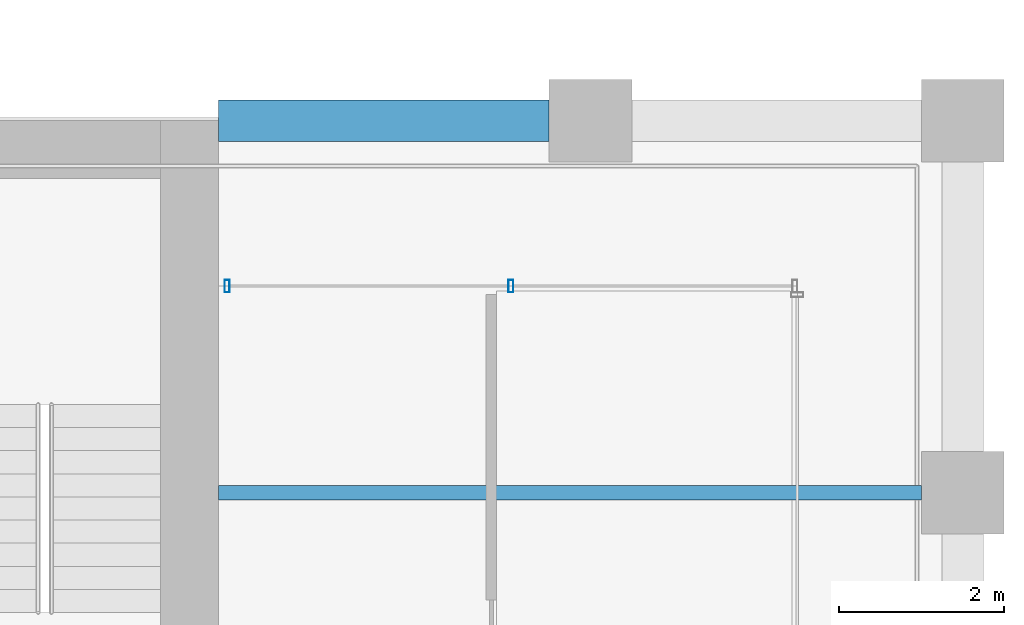
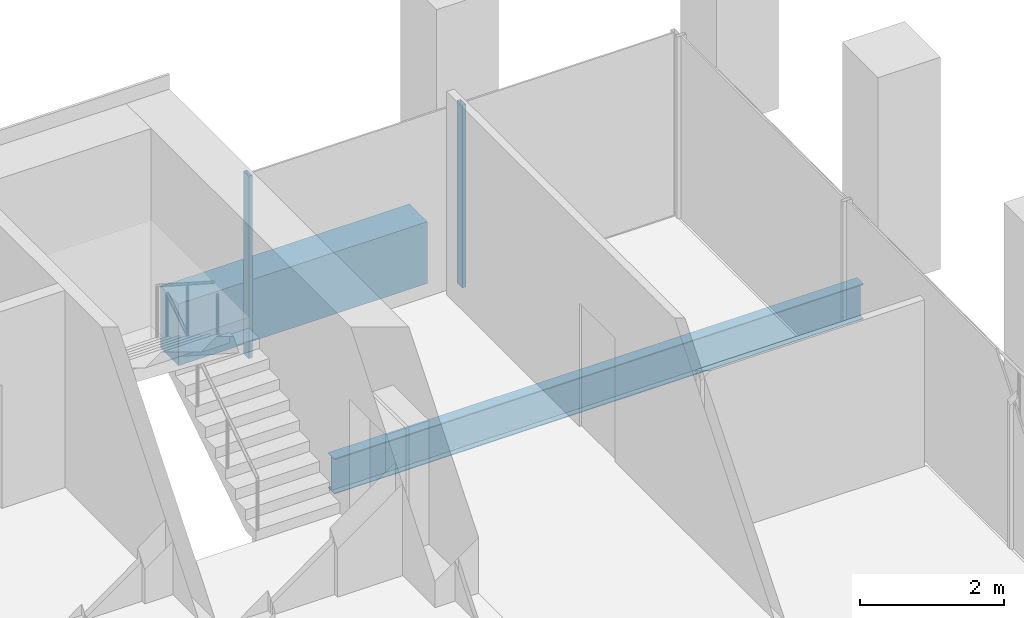
# One storey, part 36 of 46: 2 beams, 2 members, 1 element without a shape of its own.
"""IFC4 building model written with IfcOpenShell, lengths in metres."""

from ifc_helpers import new_model, si_unit, direction, frame, origin, origin_2d, place, context, subcontext, project, spatial, rectangle, hollow_rectangle, i_section, extrude, material, material_profile, profile_set, type_object, element, aggregate, save


model = new_model("IFC4")

# Units and contexts
model_context = context("Model", 3, precision=1e-05, world=origin(), true_north=direction((0.0, 1.0)))
body_context = subcontext(model_context, "Body", "Model", "MODEL_VIEW")
ifc_project = project(units=[si_unit("LENGTHUNIT", "METRE"), si_unit("AREAUNIT", "SQUARE_METRE"), si_unit("VOLUMEUNIT", "CUBIC_METRE"), si_unit("PLANEANGLEUNIT", "RADIAN"), si_unit("MASSUNIT", "GRAM", prefix="KILO")], contexts=[model_context])

# Site, building, storey
site_placement = place(None, origin())
site = spatial("IfcSite", under=ifc_project, at=site_placement, CompositionType="ELEMENT")
building_placement = place(site_placement, origin())
building = spatial("IfcBuilding", under=site, at=building_placement, Name="Altepetl Exchange Towers", CompositionType="ELEMENT")
storey_placement = place(building_placement, frame((0.0, 0.0, 128.0)))
storey = spatial("IfcBuildingStorey", under=building, at=storey_placement, Name="L31", CompositionType="ELEMENT", Elevation=128.0)

# Beam
ifc_material_1 = material(Name="Steel S355", Category="steel")
ifc_material_profile_1 = material_profile(ifc_material_1, i_section(OverallWidth=0.177978515625, OverallDepth=0.59912109375, WebThickness=0.010009765625, FlangeThickness=0.0126953125, at=origin_2d()), Name="W24X55")
ifc_profile_set_1 = profile_set([ifc_material_profile_1], Name="Steel S355")
beam_type_1 = type_object("IfcBeamType", Name="Floor beam W24X55", PredefinedType="BEAM", material=ifc_profile_set_1)
beam_1_placement = place(storey_placement, frame((117.0, 45.0, -0.449462890625), z_axis=(1.0, 0.0, 0.0), x_axis=(0.0, 1.0, 0.0)))
element("IfcBeam", 1, at=beam_1_placement, inside=storey, type_object=beam_type_1, Name="bm:B:L31:003", PredefinedType="BEAM", context=body_context, shape_type="SweptSolid", body=[
    extrude(i_section(OverallWidth=0.177978515625, OverallDepth=0.59912109375, WebThickness=0.010009765625, FlangeThickness=0.0126953125, at=origin_2d()), origin(), (0.0, 0.0, 1.0), 8.5),
])

# Curtain wall, members
ifc_material_2 = material(Name="Aluminium 6063-T6 glazing", Category="aluminium")
curtain_wall_type = type_object("IfcCurtainWallType", Name="Loggia glazing system", PredefinedType="NOTDEFINED", material=ifc_material_2)
curtain_wall_placement = place(storey_placement, origin())
curtain_wall = element("IfcCurtainWall", 2, at=curtain_wall_placement, inside=storey, type_object=curtain_wall_type, Name="CW1 run", PredefinedType="NOTDEFINED")
ifc_material_3 = material(Name="Aluminium 6063-T6", Category="aluminium")
ifc_material_profile_2 = material_profile(ifc_material_3, hollow_rectangle(XDim=0.06005859375, YDim=0.14990234375, WallThickness=0.0029296875, at=origin_2d()), Name="Mullion 60x150 aluminium")
ifc_profile_set_2 = profile_set([ifc_material_profile_2], Name="Aluminium 6063-T6")
member_type = type_object("IfcMemberType", Name="Mullion 60x150 aluminium", PredefinedType="MULLION", material=ifc_profile_set_2)
member_1_placement = place(storey_placement, frame((120.53759765625, 47.5, 0.0), z_axis=(0.0, 0.0, 1.0), x_axis=(-1.0, 0.0, 0.0)))
member_1 = element("IfcMember", 3, at=member_1_placement, type_object=member_type, Name="MU1 mullion", PredefinedType="MULLION", context=body_context, shape_type="SweptSolid", body=[
    extrude(hollow_rectangle(XDim=0.06005859375, YDim=0.14990234375, WallThickness=0.0029296875, at=origin_2d()), origin(), (0.0, 0.0, 1.0), 3.10009765625),
])
member_2_placement = place(storey_placement, frame((117.10498046875, 47.5, 0.0), z_axis=(0.0, 0.0, 1.0), x_axis=(-1.0, 0.0, 0.0)))
member_2 = element("IfcMember", 4, at=member_2_placement, type_object=member_type, Name="MU1 mullion", PredefinedType="MULLION", context=body_context, shape_type="SweptSolid", body=[
    extrude(hollow_rectangle(XDim=0.06005859375, YDim=0.14990234375, WallThickness=0.0029296875, at=origin_2d()), origin(), (0.0, 0.0, 1.0), 3.10009765625),
])
aggregate(curtain_wall, [member_1, member_2])

# Beam
ifc_material_4 = material(Name="Concrete C50/60 precast with cantera amarilla facing", Category="concrete")
ifc_material_profile_3 = material_profile(ifc_material_4, rectangle(XDim=0.5, YDim=1.050048828125, at=origin_2d()), Name="500 x 1050")
ifc_profile_set_3 = profile_set([ifc_material_profile_3], Name="Concrete C50/60 precast with cantera amarilla facing")
beam_type_2 = type_object("IfcBeamType", Name="Spandrel beam 500x1050 cantera amarilla", PredefinedType="SPANDREL", material=ifc_profile_set_3)
beam_2_placement = place(storey_placement, frame((121.0, 49.5, -0.675048828125), z_axis=(-1.0, 0.0, 0.0), x_axis=(0.0, -1.0, 0.0)))
element("IfcBeam", 5, at=beam_2_placement, inside=storey, type_object=beam_type_2, Name="sp:B:L31:014", PredefinedType="SPANDREL", context=body_context, shape_type="SweptSolid", body=[
    extrude(rectangle(XDim=0.5, YDim=1.050048828125, at=origin_2d()), origin(), (0.0, 0.0, 1.0), 4.0),
])

save(model, "model.ifc")
